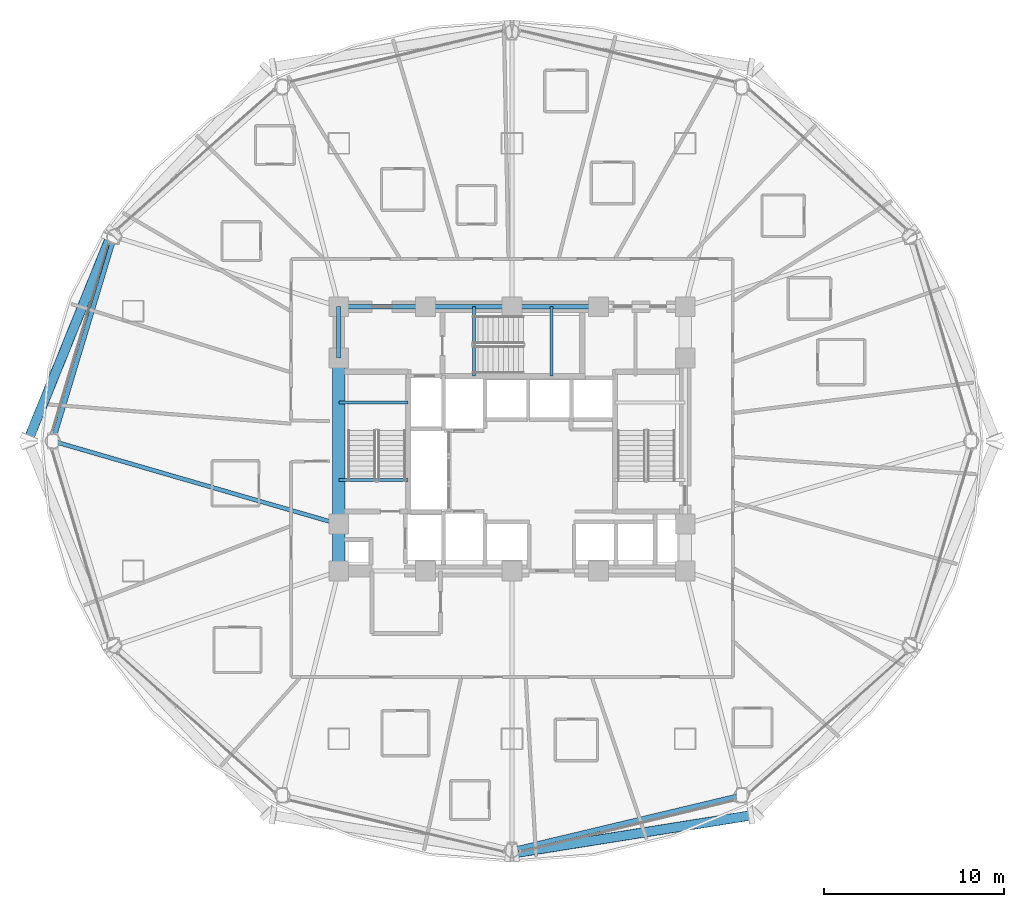
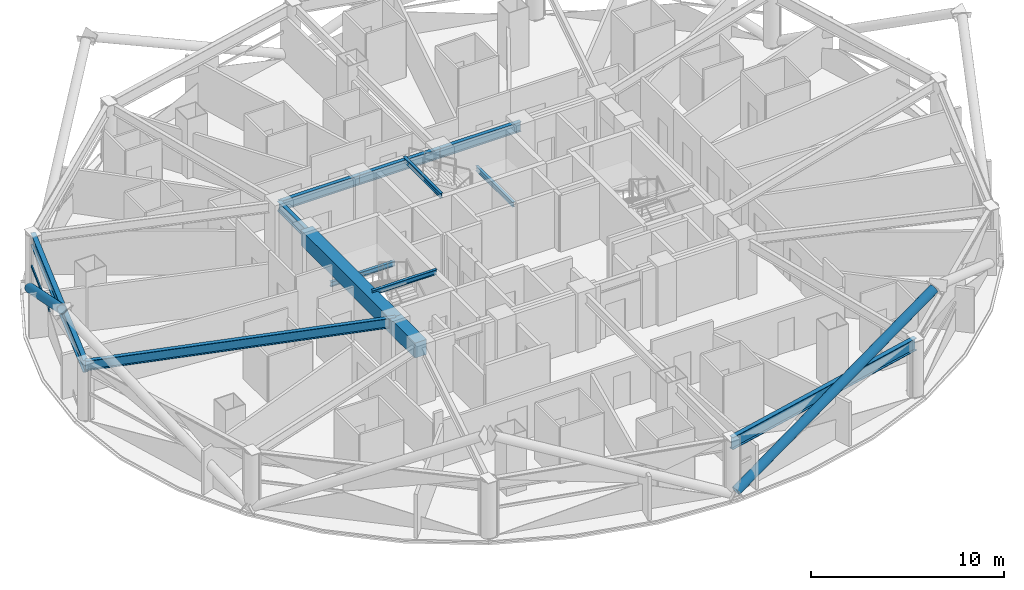
# One storey, part 7 of 31: 13 beams, 3 members, 1 element without a shape of its own.
"""IFC4 building model written with IfcOpenShell, lengths in metres."""

from ifc_helpers import new_model, si_unit, direction, frame, origin, origin_2d, place, context, subcontext, project, spatial, rectangle, hollow_rectangle, hollow_circle, i_section, extrude, material, layer, layer_set, material_profile, profile_set, type_object, element, aggregate, save


model = new_model("IFC4")

# Units and contexts
model_context = context("Model", 3, precision=1e-05, world=origin(), true_north=direction((0.0, 1.0)))
body_context = subcontext(model_context, "Body", "Model", "MODEL_VIEW")
ifc_project = project(units=[si_unit("LENGTHUNIT", "METRE"), si_unit("AREAUNIT", "SQUARE_METRE"), si_unit("VOLUMEUNIT", "CUBIC_METRE"), si_unit("PLANEANGLEUNIT", "RADIAN"), si_unit("MASSUNIT", "GRAM", prefix="KILO")], contexts=[model_context])

# Site, building, storey
site_placement = place(None, origin())
site = spatial("IfcSite", under=ifc_project, at=site_placement, CompositionType="ELEMENT")
building_placement = place(site_placement, origin())
building = spatial("IfcBuilding", under=site, at=building_placement, Name="Vantalir Tower", CompositionType="ELEMENT")
storey_placement = place(building_placement, frame((0.0, 0.0, 34.5)))
storey = spatial("IfcBuildingStorey", under=building, at=storey_placement, Name="L07", CompositionType="ELEMENT", Elevation=34.5)

# Beams
ifc_material_1 = material(Name="Concrete C60/75", Category="concrete")
ifc_material_profile_1 = material_profile(ifc_material_1, rectangle(XDim=0.699951171875, YDim=0.949951171875, at=origin_2d()), Name="Concrete C60/75")
ifc_profile_set_1 = profile_set([ifc_material_profile_1], Name="Concrete C60/75")
beam_type_1 = type_object("IfcBeamType", Name="BM-CB-700x950", PredefinedType="USERDEFINED", material=ifc_profile_set_1)
beam_1_placement = place(storey_placement, frame((21.89990234375, 29.60009765625, 3.094970703125), z_axis=(0.0, -1.0, 0.0), x_axis=(1.0, 0.0, 0.0)))
element("IfcBeam", 1, at=beam_1_placement, inside=storey, type_object=beam_type_1, Name="L07 Core Coupling Girder 13", ObjectType="GIRDER", PredefinedType="USERDEFINED", context=body_context, shape_type="SweptSolid", body=[
    extrude(rectangle(XDim=0.699951171875, YDim=0.949951171875, at=origin_2d()), origin(), (0.0, 0.0, 1.0), 9.2001953125),
])
beam_2_placement = place(storey_placement, frame((21.89990234375, 20.39990234375, 3.094970703125), z_axis=(0.0, -1.0, 0.0), x_axis=(1.0, 0.0, 0.0)))
element("IfcBeam", 2, at=beam_2_placement, inside=storey, type_object=beam_type_1, Name="L07 Core Coupling Girder 14", ObjectType="GIRDER", PredefinedType="USERDEFINED", context=body_context, shape_type="SweptSolid", body=[
    extrude(rectangle(XDim=0.699951171875, YDim=0.949951171875, at=origin_2d()), origin(), (0.0, 0.0, 1.0), 2.599853515625),
])
ifc_material_2 = material(Name="Steel S355", Category="steel")
ifc_material_profile_2 = material_profile(ifc_material_2, i_section(OverallWidth=0.166015625, OverallDepth=0.306884765625, WebThickness=0.006591796875, FlangeThickness=0.01171875, at=origin_2d()), Name="Steel S355")
ifc_profile_set_2 = profile_set([ifc_material_profile_2], Name="Steel S355")
beam_type_2 = type_object("IfcBeamType", Name="BM-JS-305x165", PredefinedType="JOIST", material=ifc_profile_set_2)
for number, where, z_axis, x_axis, name in (
    (3, (21.89990234375, 22.8349609375, 3.595947265625), (1.0, 0.0, 0.0), (0.0, 1.0, 0.0), "L08 Stair ST1 Well Nosing Trimmer Beam"),
    (4, (21.89990234375, 27.14501953125, 1.52099609375), (1.0, 0.0, 0.0), (0.0, 1.0, 0.0), "L07 Stair ST1 Half-Landing Support Beam"),
):
    element("IfcBeam", number, at=place(storey_placement, frame(where, z_axis=z_axis, x_axis=x_axis)), inside=storey, type_object=beam_type_2, Name=name, PredefinedType="JOIST", context=body_context, shape_type="SweptSolid", body=[
        extrude(i_section(OverallWidth=0.166015625, OverallDepth=0.306884765625, WebThickness=0.006591796875, FlangeThickness=0.01171875, at=origin_2d()), origin(), (0.0, 0.0, 1.0), 3.840087890625),
    ])
for number, where, z_axis, x_axis, name in (
    (5, (29.385009765625, 28.60009765625, 3.595947265625), (0.0, 1.0, 0.0), (-1.0, 0.0, 0.0), "L08 Stair ST3 Well Nosing Trimmer Beam"),
    (6, (33.695068359375, 28.60009765625, 1.52099609375), (0.0, 1.0, 0.0), (-1.0, 0.0, 0.0), "L07 Stair ST3 Half-Landing Support Beam"),
):
    element("IfcBeam", number, at=place(storey_placement, frame(where, z_axis=z_axis, x_axis=x_axis)), inside=storey, type_object=beam_type_2, Name=name, PredefinedType="JOIST", context=body_context, shape_type="SweptSolid", body=[
        extrude(i_section(OverallWidth=0.166015625, OverallDepth=0.306884765625, WebThickness=0.006591796875, FlangeThickness=0.01171875, at=origin_2d()), origin(), (0.0, 0.0, 1.0), 3.849853515625),
    ])
ifc_material_profile_3 = material_profile(ifc_material_2, i_section(OverallWidth=0.22998046875, OverallDepth=0.616943359375, WebThickness=0.01318359375, FlangeThickness=0.022216796875, at=origin_2d()), Name="Steel S355")
ifc_profile_set_3 = profile_set([ifc_material_profile_3], Name="Steel S355")
beam_type_3 = type_object("IfcBeamType", Name="BM-RB-610x229", PredefinedType="BEAM", material=ifc_profile_set_3)
for number, where, z_axis, x_axis, name in (
    (7, (36.300048828125, 32.449951171875, 3.261962890625), (-1.0, 0.0, 0.0), (0.0, -1.0, 0.0), "L07 Core Coupling Girder 09"),
    (8, (31.5, 32.449951171875, 3.261962890625), (-1.0, 0.0, 0.0), (0.0, -1.0, 0.0), "L07 Core Coupling Girder 10"),
    (9, (26.699951171875, 32.449951171875, 3.261962890625), (-1.0, 0.0, 0.0), (0.0, -1.0, 0.0), "L07 Core Coupling Girder 11"),
):
    element("IfcBeam", number, at=place(storey_placement, frame(where, z_axis=z_axis, x_axis=x_axis)), inside=storey, type_object=beam_type_3, Name=name, PredefinedType="BEAM", context=body_context, shape_type="SweptSolid", body=[
        extrude(i_section(OverallWidth=0.22998046875, OverallDepth=0.616943359375, WebThickness=0.01318359375, FlangeThickness=0.022216796875, at=origin_2d()), origin(), (0.0, 0.0, 1.0), 4.800048828125),
    ])
beam_3_placement = place(storey_placement, frame((21.89990234375, 32.449951171875, 3.261962890625), z_axis=(0.0, -1.0, 0.0), x_axis=(1.0, 0.0, 0.0)))
element("IfcBeam", 10, at=beam_3_placement, inside=storey, type_object=beam_type_3, Name="L07 Core Coupling Girder 12", PredefinedType="BEAM", context=body_context, shape_type="SweptSolid", body=[
    extrude(i_section(OverallWidth=0.22998046875, OverallDepth=0.616943359375, WebThickness=0.01318359375, FlangeThickness=0.022216796875, at=origin_2d()), origin(), (0.0, 0.0, 1.0), 2.849853515625),
])
beam_4_placement = place(storey_placement, frame((6.050048828125, 25.0, 3.261962890625), z_axis=(0.960370116181, -0.27872789589, 0.0), x_axis=(0.27872789589, 0.960370116181, 0.0)))
element("IfcBeam", 11, at=beam_4_placement, inside=storey, type_object=beam_type_3, Name="L07 Radial Floor Beam 07", PredefinedType="BEAM", context=body_context, shape_type="SweptSolid", body=[
    extrude(i_section(OverallWidth=0.22998046875, OverallDepth=0.616943359375, WebThickness=0.01318359375, FlangeThickness=0.022216796875, at=origin_2d()), origin(), (0.0, 0.0, 1.0), 16.50390625),
])
ifc_material_3 = material(Name="Steel S460", Category="steel")
ifc_material_profile_4 = material_profile(ifc_material_3, i_section(OverallWidth=0.26806640625, OverallDepth=0.77001953125, WebThickness=0.015625, FlangeThickness=0.025390625, at=origin_2d()), Name="Steel S460")
ifc_profile_set_4 = profile_set([ifc_material_profile_4], Name="Steel S460")
beam_type_4 = type_object("IfcBeamType", Name="BM-RG-762x267", PredefinedType="USERDEFINED", material=ifc_profile_set_4)
beam_5_placement = place(storey_placement, frame((9.4599609375, 36.33203125, 3.18505859375), z_axis=(-0.288146508643, -0.957586335302, 0.0), x_axis=(0.957586335302, -0.288146508643, 0.0)))
element("IfcBeam", 12, at=beam_5_placement, inside=storey, type_object=beam_type_4, Name="L07 Circumferential Ring Girder 06", ObjectType="GIRDER", PredefinedType="USERDEFINED", context=body_context, shape_type="SweptSolid", body=[
    extrude(i_section(OverallWidth=0.26806640625, OverallDepth=0.77001953125, WebThickness=0.015625, FlangeThickness=0.025390625, at=origin_2d()), origin(), (0.0, 0.0, 1.0), 11.833984375),
])
beam_6_placement = place(storey_placement, frame((31.5, 2.3359375, 3.18505859375), z_axis=(0.972696777879, 0.232079680935, 0.0), x_axis=(-0.232079680935, 0.972696777879, 0.0)))
element("IfcBeam", 13, at=beam_6_placement, inside=storey, type_object=beam_type_4, Name="L07 Circumferential Ring Girder 10", ObjectType="GIRDER", PredefinedType="USERDEFINED", context=body_context, shape_type="SweptSolid", body=[
    extrude(i_section(OverallWidth=0.26806640625, OverallDepth=0.77001953125, WebThickness=0.015625, FlangeThickness=0.025390625, at=origin_2d()), origin(), (0.0, 0.0, 1.0), 13.082275390625),
])

# Curtain wall, member
ifc_material_4 = material(Name="Champagne-silver PVDF aluminium and double-silver Low-E glass", Category="aluminium")
ifc_layer = layer(ifc_material_4, 0.18994140625)
ifc_layer_set = layer_set([ifc_layer], Name="Champagne-silver PVDF aluminium and double-silver Low-E glass")
curtain_wall_type = type_object("IfcCurtainWallType", Name="CW-DIAMOND-Z1", PredefinedType="USERDEFINED", material=ifc_layer_set)
curtain_wall_placement = place(storey_placement, origin())
curtain_wall = element("IfcCurtainWall", 14, at=curtain_wall_placement, inside=storey, type_object=curtain_wall_type, Name="L07 Quilted Pyramid-Diamond Curtain Wall S06", ObjectType="UNITISED CURTAIN WALL", PredefinedType="USERDEFINED")
ifc_material_5 = material(Name="Champagne-silver PVDF aluminium 6063-T6", Category="aluminium")
ifc_material_profile_5 = material_profile(ifc_material_5, hollow_rectangle(XDim=0.074951171875, YDim=0.159912109375, WallThickness=0.00390625, at=origin_2d()), Name="Champagne-silver PVDF aluminium 6063-T6")
ifc_profile_set_5 = profile_set([ifc_material_profile_5], Name="Champagne-silver PVDF aluminium 6063-T6")
member_type_1 = type_object("IfcMemberType", Name="CWT-160x75", PredefinedType="USERDEFINED", material=ifc_profile_set_5)
member_1_placement = place(storey_placement, frame((9.159912109375, 35.97705078125, 1.784912109375), z_axis=(-0.293465610057, -0.955969631167, 0.0), x_axis=(0.955969631167, -0.293465610057, 0.0)))
member_1 = element("IfcMember", 15, at=member_1_placement, type_object=member_type_1, Name="CW-L07-S06 Pyramid Fold Ridge Transom", ObjectType="TRANSOM", PredefinedType="USERDEFINED", context=body_context, shape_type="SweptSolid", body=[
    extrude(hollow_rectangle(XDim=0.074951171875, YDim=0.159912109375, WallThickness=0.00390625, at=origin_2d()), origin(), (0.0, 0.0, 1.0), 4.177001953125),
])
aggregate(curtain_wall, [member_1])

# Members
ifc_material_profile_6 = material_profile(ifc_material_3, hollow_circle(Radius=0.27001953125, WallThickness=0.044921875, at=origin_2d()), Name="Steel S460")
ifc_profile_set_6 = profile_set([ifc_material_profile_6], Name="Steel S460")
member_type_2 = type_object("IfcMemberType", Name="MEM-DB-540x45", PredefinedType="BRACE", material=ifc_profile_set_6)
member_2_placement = place(storey_placement, frame((9.22412109375, 36.2509765625, 0.18994140625), z_axis=(-0.324397774372, -0.801549988497, 0.502278508322), x_axis=(0.926962548734, -0.375153879422, 0.0)))
element("IfcMember", 16, at=member_2_placement, inside=storey, type_object=member_type_2, Name="L07 Perimeter S460 Diagrid Brace R16L", PredefinedType="BRACE", context=body_context, shape_type="SweptSolid", body=[
    extrude(hollow_circle(Radius=0.27001953125, WallThickness=0.044921875, at=origin_2d()), origin(), (0.0, 0.0, 1.0), 13.81689453125),
])
member_3_placement = place(storey_placement, frame((31.69189453125, 2.177001953125, 0.18310546875), z_axis=(0.873620305221, 0.139451896965, 0.466198166812), x_axis=(-0.15762970392, 0.987498291868, 0.0)))
element("IfcMember", 17, at=member_3_placement, inside=storey, type_object=member_type_2, Name="L07 Perimeter S460 Diagrid Brace R28L", PredefinedType="BRACE", context=body_context, shape_type="SweptSolid", body=[
    extrude(hollow_circle(Radius=0.27001953125, WallThickness=0.044921875, at=origin_2d()), origin(), (0.0, 0.0, 1.0), 14.916015625),
])

save(model, "model.ifc")
